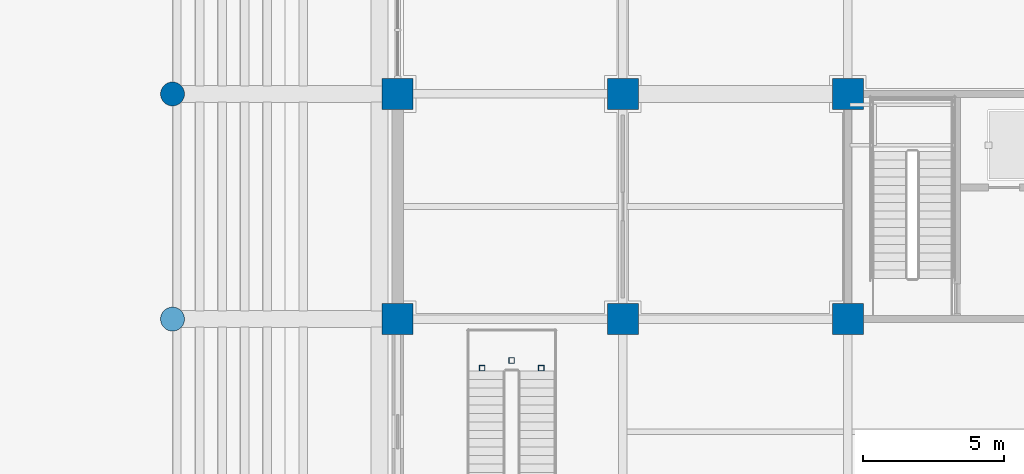
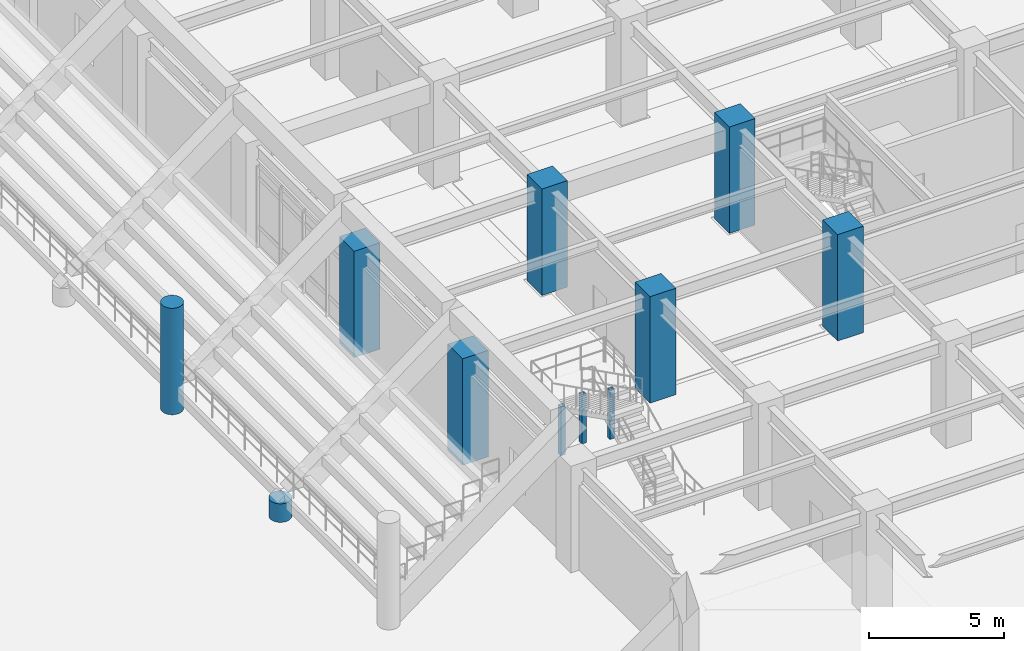
# One storey, part 14 of 125: 11 columns.
"""IFC4 building model written with IfcOpenShell, lengths in metres."""

from ifc_helpers import new_model, si_unit, direction, frame, origin, origin_2d, place, context, subcontext, project, spatial, rectangle, hollow_rectangle, circle, extrude, material, material_profile, profile_set, type_object, element, save


model = new_model("IFC4")

# Units and contexts
model_context = context("Model", 3, precision=1e-05, world=origin(), true_north=direction((0.0, 1.0)))
body_context = subcontext(model_context, "Body", "Model", "MODEL_VIEW")
ifc_project = project(units=[si_unit("LENGTHUNIT", "METRE"), si_unit("AREAUNIT", "SQUARE_METRE"), si_unit("VOLUMEUNIT", "CUBIC_METRE"), si_unit("PLANEANGLEUNIT", "RADIAN"), si_unit("MASSUNIT", "GRAM", prefix="KILO")], contexts=[model_context])

# Site, building, storey
site_placement = place(None, origin())
site = spatial("IfcSite", under=ifc_project, at=site_placement, CompositionType="ELEMENT")
building_placement = place(site_placement, origin())
building = spatial("IfcBuilding", under=site, at=building_placement, Name="Haebicheon Civic Stadium", CompositionType="ELEMENT")
storey_placement = place(building_placement, origin())
storey = spatial("IfcBuildingStorey", under=building, at=storey_placement, Name="L01", CompositionType="ELEMENT", Elevation=0.0)

# Columns
ifc_material_1 = material(Name="Concrete C40/50", Category="concrete")
ifc_material_profile_1 = material_profile(ifc_material_1, rectangle(XDim=1.10009765625, YDim=1.10009765625, at=origin_2d()), Name="RC-COL-1100x1100")
ifc_profile_set_1 = profile_set([ifc_material_profile_1], Name="Concrete C40/50")
column_type_1 = type_object("IfcColumnType", Name="COL-RC-1100", PredefinedType="COLUMN", material=ifc_profile_set_1)
for number, where, z_axis, x_axis, name in (
    (1, (200.0, 64.0, 0.0), (0.0, 0.0, 1.0), (1.0, 0.0, 0.0), "L01 column 26/J"),
    (2, (200.0, 72.0, 0.0), (0.0, 0.0, 1.0), (1.0, 0.0, 0.0), "L01 column 26/K"),
    (3, (208.0, 64.0, 0.0), (0.0, 0.0, 1.0), (1.0, 0.0, 0.0), "L01 column 27/J"),
    (4, (208.0, 72.0, 0.0), (0.0, 0.0, 1.0), (1.0, 0.0, 0.0), "L01 column 27/K"),
    (5, (216.0, 64.0, 0.0), (0.0, 0.0, 1.0), (1.0, 0.0, 0.0), "L01 column 28/J"),
    (6, (216.0, 72.0, 0.0), (0.0, 0.0, 1.0), (1.0, 0.0, 0.0), "L01 column 28/K"),
):
    element("IfcColumn", number, at=place(storey_placement, frame(where, z_axis=z_axis, x_axis=x_axis)), inside=storey, type_object=column_type_1, material=ifc_profile_set_1, Name=name, PredefinedType="COLUMN", context=body_context, shape_type="SweptSolid", body=[
        extrude(rectangle(XDim=1.10009765625, YDim=1.10009765625, at=origin_2d()), origin(), (0.0, 0.0, 1.0), 4.800048828125),
    ])
ifc_material_2 = material(Name="Concrete C40/50", Category="concrete")
ifc_material_profile_2 = material_profile(ifc_material_2, circle(Radius=0.425048828125, at=origin_2d()), Name="RC-COL-D850")
ifc_profile_set_2 = profile_set([ifc_material_profile_2], Name="Concrete C40/50")
column_type_2 = type_object("IfcColumnType", Name="COL-RC-D850", PredefinedType="COLUMN", material=ifc_profile_set_2)
column_1_placement = place(storey_placement, frame((192.0, 64.0, 0.0), z_axis=(0.0, 0.0, 1.0), x_axis=(1.0, 0.0, 0.0)))
element("IfcColumn", 7, at=column_1_placement, inside=storey, type_object=column_type_2, material=ifc_profile_set_2, Name="Bowl/canopy support column 192/64 (L01)", PredefinedType="COLUMN", context=body_context, shape_type="SweptSolid", body=[
    extrude(circle(Radius=0.425048828125, at=origin_2d()), origin(), (0.0, 0.0, 1.0), 0.8349609375),
])
column_2_placement = place(storey_placement, frame((192.0, 72.0, 0.0), z_axis=(0.0, 0.0, 1.0), x_axis=(1.0, 0.0, 0.0)))
element("IfcColumn", 8, at=column_2_placement, inside=storey, type_object=column_type_2, material=ifc_profile_set_2, Name="Bowl/canopy support column 192/72 (L01)", PredefinedType="COLUMN", context=body_context, shape_type="SweptSolid", body=[
    extrude(circle(Radius=0.425048828125, at=origin_2d()), origin(), (0.0, 0.0, 1.0), 4.800048828125),
])
ifc_material_3 = material(Name="Steel SM355 (S355)", Category="steel")
ifc_material_profile_3 = material_profile(ifc_material_3, hollow_rectangle(XDim=0.199951171875, YDim=0.199951171875, WallThickness=0.009033203125, at=origin_2d()), Name="RHS-200x200x9.0")
ifc_profile_set_3 = profile_set([ifc_material_profile_3], Name="Steel SM355 (S355)")
column_type_3 = type_object("IfcColumnType", Name="COL-ST-RHS200", PredefinedType="COLUMN", material=ifc_profile_set_3)
for number, where, z_axis, x_axis, name in (
    (9, (203.0, 62.260009765625, 0.0), (0.0, 0.0, 1.0), (1.0, 0.0, 0.0), "VM-11 L01 vomitory landing support post A"),
    (10, (205.10009765625, 62.260009765625, 0.0), (0.0, 0.0, 1.0), (1.0, 0.0, 0.0), "VM-11 L01 vomitory landing support post B"),
    (11, (204.050048828125, 62.530029296875, 0.0), (0.0, 0.0, 1.0), (1.0, 0.0, 0.0), "VM-11 L01 vomitory landing support post C"),
):
    element("IfcColumn", number, at=place(storey_placement, frame(where, z_axis=z_axis, x_axis=x_axis)), inside=storey, type_object=column_type_3, material=ifc_profile_set_3, Name=name, PredefinedType="COLUMN", context=body_context, shape_type="SweptSolid", body=[
        extrude(hollow_rectangle(XDim=0.199951171875, YDim=0.199951171875, WallThickness=0.009033203125, at=origin_2d()), origin(), (0.0, 0.0, 1.0), 2.199951171875),
    ])

save(model, "model.ifc")
